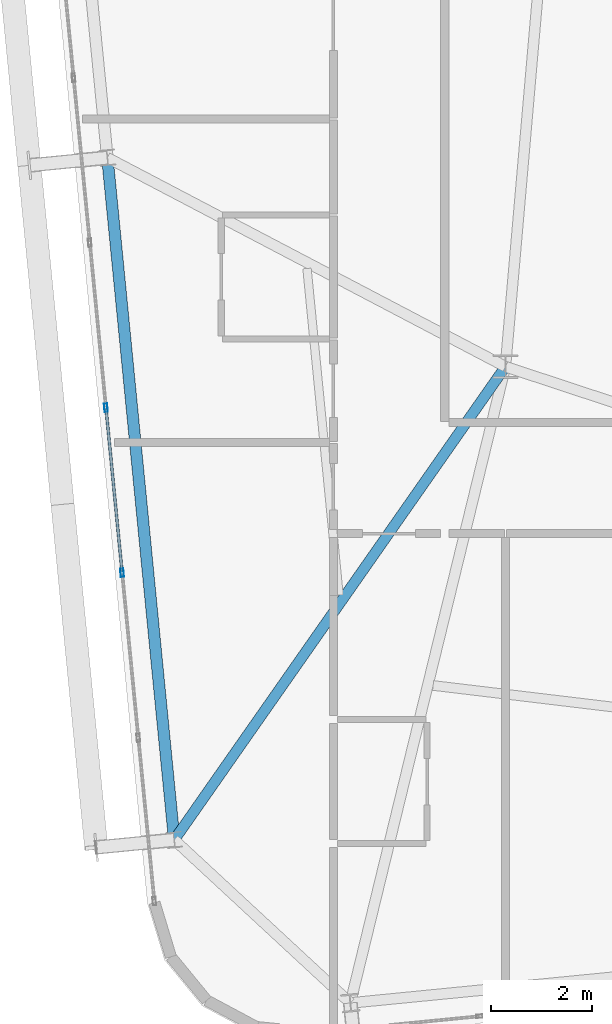
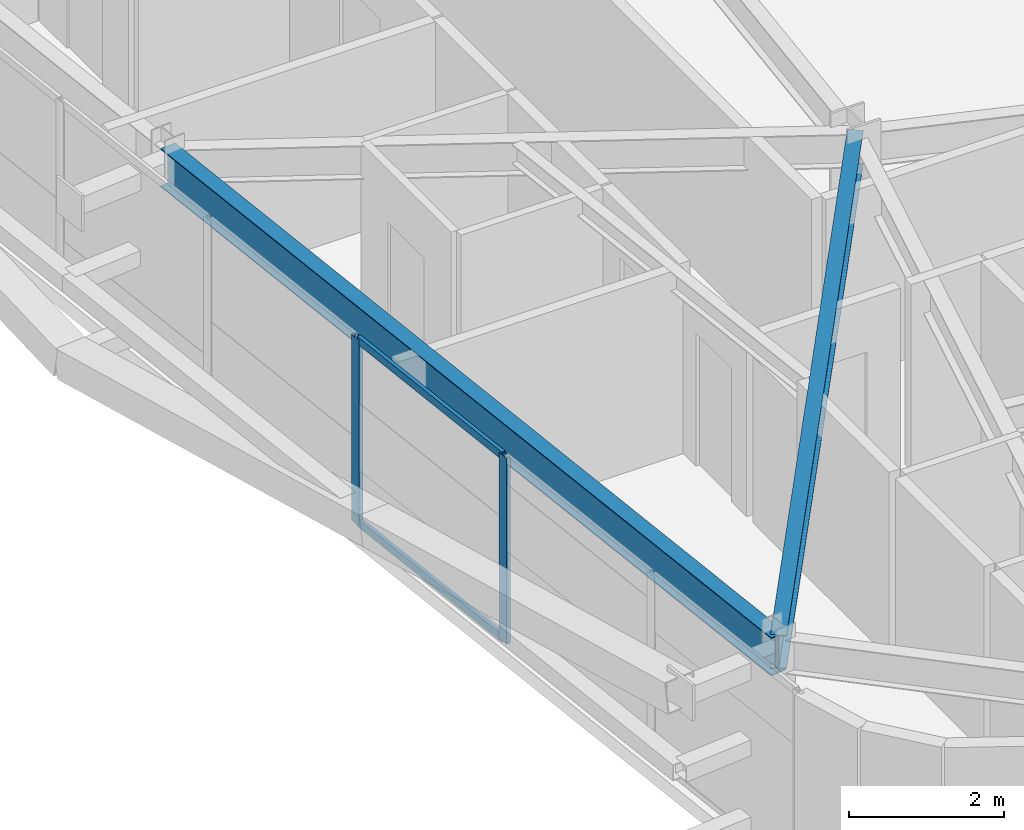
# One storey, part 8 of 53: 4 members, 2 beams, 1 element without a shape of its own.
"""IFC4 building model written with IfcOpenShell, lengths in metres."""

from ifc_helpers import new_model, si_unit, direction, frame, origin, origin_2d, place, context, subcontext, project, spatial, hollow_rectangle, i_section, extrude, source, transform, mapped, material, layer, layer_set, material_profile, profile_set, type_object, element, aggregate, save


model = new_model("IFC4")

# Units and contexts
model_context = context("Model", 3, precision=1e-05, world=origin(), true_north=direction((0.0, 1.0)))
body_context = subcontext(model_context, "Body", "Model", "MODEL_VIEW")
ifc_project = project(units=[si_unit("LENGTHUNIT", "METRE"), si_unit("AREAUNIT", "SQUARE_METRE"), si_unit("VOLUMEUNIT", "CUBIC_METRE"), si_unit("PLANEANGLEUNIT", "RADIAN"), si_unit("MASSUNIT", "GRAM", prefix="KILO")], contexts=[model_context])

# Site, building, storey
site_placement = place(None, origin())
site = spatial("IfcSite", under=ifc_project, at=site_placement, CompositionType="ELEMENT")
building_placement = place(site_placement, origin())
building = spatial("IfcBuilding", under=site, at=building_placement, Name="Taldren Reach Tower", CompositionType="ELEMENT")
storey_placement = place(building_placement, frame((0.0, 0.0, 84.0)))
storey = spatial("IfcBuildingStorey", under=building, at=storey_placement, Name="L25", CompositionType="ELEMENT", Elevation=84.0)

# Beams
ifc_material_1 = material(Name="Steel Gr 350 (350PLUS)", Category="steel")
ifc_material_profile_1 = material_profile(ifc_material_1, i_section(OverallWidth=0.22802734375, OverallDepth=0.60205078125, WebThickness=0.010498046875, FlangeThickness=0.014892578125, at=origin_2d()), Name="610UB101")
ifc_profile_set_1 = profile_set([ifc_material_profile_1], Name="Steel Gr 350 (350PLUS)")
beam_type_1 = type_object("IfcBeamType", Name="BM-UB610B", PredefinedType="BEAM", material=ifc_profile_set_1)
shared_shape_1 = source(origin(), body_context, "Body", "SweptSolid", [
    extrude(i_section(OverallWidth=0.22802734375, OverallDepth=0.60205078125, WebThickness=0.010498046875, FlangeThickness=0.014892578125, at=origin_2d()), origin(), (0.0, 0.0, 1.0), 13.550048828125),
])
beam_1_placement = place(storey_placement, frame((10.130615234375, 16.631103515625, 2.62890625), z_axis=(0.097584021339, -0.995227290009, 0.0), x_axis=(0.995227290009, 0.097584021339, 0.0)))
element("IfcBeam", 1, at=beam_1_placement, inside=storey, type_object=beam_type_1, Name="Perimeter gable girder B2 W2-W1 L25", PredefinedType="BEAM", context=body_context, shape_type="MappedRepresentation", body=[
    mapped(shared_shape_1, transform((0.0, 0.0, 0.0), scale=1.0)),
])
ifc_material_profile_2 = material_profile(ifc_material_1, i_section(OverallWidth=0.208984375, OverallDepth=0.532958984375, WebThickness=0.01025390625, FlangeThickness=0.015625, at=origin_2d()), Name="530UB92.4")
ifc_profile_set_2 = profile_set([ifc_material_profile_2], Name="Steel Gr 350 (350PLUS)")
beam_type_2 = type_object("IfcBeamType", Name="BM-UB530A", PredefinedType="BEAM", material=ifc_profile_set_2)
shared_shape_2 = source(origin(), body_context, "Body", "SweptSolid", [
    extrude(i_section(OverallWidth=0.208984375, OverallDepth=0.532958984375, WebThickness=0.01025390625, FlangeThickness=0.015625, at=origin_2d()), origin(), (0.0, 0.0, 1.0), 11.417724609375),
])
beam_2_placement = place(storey_placement, frame((18.0, 12.5, 2.66357421875), z_axis=(-0.573412116146, -0.819267077977, 0.0), x_axis=(0.819267077977, -0.573412116146, 0.0)))
element("IfcBeam", 2, at=beam_2_placement, inside=storey, type_object=beam_type_2, Name="Primary floor girder B2-W1 L25", PredefinedType="BEAM", context=body_context, shape_type="MappedRepresentation", body=[
    mapped(shared_shape_2, transform((0.0, 0.0, 0.0), scale=1.0)),
])

# Curtain wall, members
ifc_material_2 = material(Name="Aluminium and Low-E Glass Unitised System", Category="aluminium")
ifc_layer = layer(ifc_material_2, 0.159912109375)
ifc_layer_set = layer_set([ifc_layer], Name="Aluminium and Low-E Glass Unitised System")
curtain_wall_type = type_object("IfcCurtainWallType", Name="CW-SYS-3", PredefinedType="NOTDEFINED", material=ifc_layer_set)
curtain_wall_placement = place(storey_placement, origin())
curtain_wall = element("IfcCurtainWall", 3, at=curtain_wall_placement, inside=storey, type_object=curtain_wall_type, Name="Unitised curtain wall CW-L25-W", PredefinedType="NOTDEFINED")
ifc_material_3 = material(Name="Anodised Aluminium 6063-T6", Category="aluminium")
ifc_material_profile_3 = material_profile(ifc_material_3, hollow_rectangle(XDim=0.06494140625, YDim=0.1650390625, WallThickness=0.00390625, at=origin_2d()), Name="ALU-165x65x4RHS")
ifc_profile_set_3 = profile_set([ifc_material_profile_3], Name="Anodised Aluminium 6063-T6")
member_type_1 = type_object("IfcMemberType", Name="CW-MUL-165", PredefinedType="MULLION", material=ifc_profile_set_3)
shared_shape_3 = source(origin(), body_context, "Body", "SweptSolid", [
    extrude(hollow_rectangle(XDim=0.06494140625, YDim=0.1650390625, WallThickness=0.00390625, at=origin_2d()), origin(), (0.0, 0.0, 1.0), 2.929931640625),
])
member_1_placement = place(storey_placement, frame((10.102783203125, 11.688232421875, 0.0), z_axis=(0.0, 0.0, 1.0), x_axis=(0.99522741555, 0.09758274098, 0.0)))
member_1 = element("IfcMember", 4, at=member_1_placement, type_object=member_type_1, Name="CW-3 mullion 7", PredefinedType="MULLION", context=body_context, shape_type="MappedRepresentation", body=[
    mapped(shared_shape_3, transform((0.0, 0.0, 0.0), scale=1.0)),
])
member_2_placement = place(storey_placement, frame((10.422607421875, 8.426025390625, 0.0), z_axis=(0.0, 0.0, 1.0), x_axis=(0.99522741555, 0.09758274098, 0.0)))
member_2 = element("IfcMember", 5, at=member_2_placement, type_object=member_type_1, Name="CW-3 mullion 8", PredefinedType="MULLION", context=body_context, shape_type="MappedRepresentation", body=[
    mapped(shared_shape_3, transform((0.0, 0.0, 0.0), scale=1.0)),
])
ifc_material_profile_4 = material_profile(ifc_material_3, hollow_rectangle(XDim=0.054931640625, YDim=0.1201171875, WallThickness=0.0029296875, at=origin_2d()), Name="ALU-120x55x3RHS")
ifc_profile_set_4 = profile_set([ifc_material_profile_4], Name="Anodised Aluminium 6063-T6")
member_type_2 = type_object("IfcMemberType", Name="CW-TRN-135", PredefinedType="USERDEFINED", material=ifc_profile_set_4)
shared_shape_4 = source(origin(), body_context, "Body", "SweptSolid", [
    extrude(hollow_rectangle(XDim=0.054931640625, YDim=0.1201171875, WallThickness=0.0029296875, at=origin_2d()), origin(), (0.0, 0.0, 1.0), 3.212890625),
])
member_3_placement = place(storey_placement, frame((10.10595703125, 11.65576171875, 0.027587890625), z_axis=(0.097569948235, -0.995228669805, 0.0), x_axis=(0.995228669805, 0.097569948235, 0.0)))
member_3 = element("IfcMember", 6, at=member_3_placement, type_object=member_type_2, Name="CW-3 transom 7.1", ObjectType="TRANSOM", PredefinedType="USERDEFINED", context=body_context, shape_type="MappedRepresentation", body=[
    mapped(shared_shape_4, transform((0.0, 0.0, 0.0), scale=1.0)),
])
member_4_placement = place(storey_placement, frame((10.10595703125, 11.65576171875, 2.902587890625), z_axis=(0.097569948235, -0.995228669805, 0.0), x_axis=(0.995228669805, 0.097569948235, 0.0)))
member_4 = element("IfcMember", 7, at=member_4_placement, type_object=member_type_2, Name="CW-3 transom 7.2", ObjectType="TRANSOM", PredefinedType="USERDEFINED", context=body_context, shape_type="MappedRepresentation", body=[
    mapped(shared_shape_4, transform((0.0, 0.0, 0.0), scale=1.0)),
])
aggregate(curtain_wall, [member_1, member_2, member_3, member_4])

save(model, "model.ifc")
